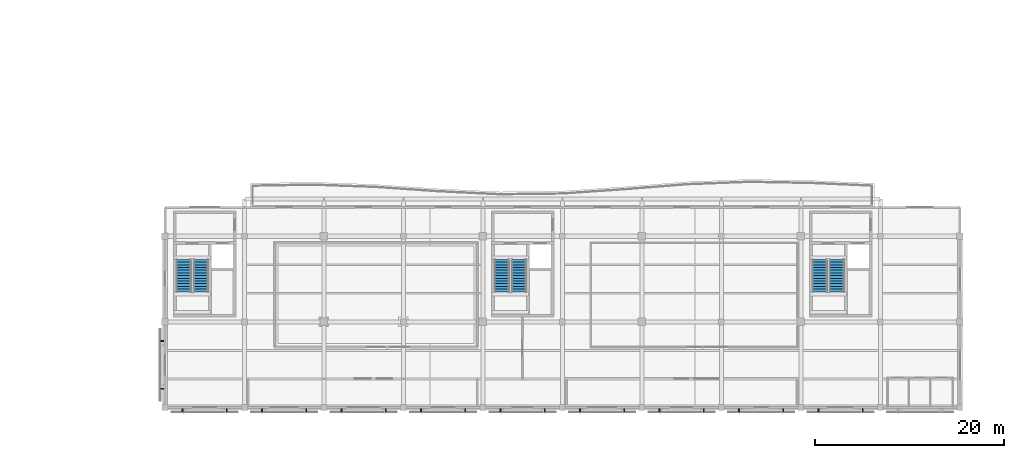
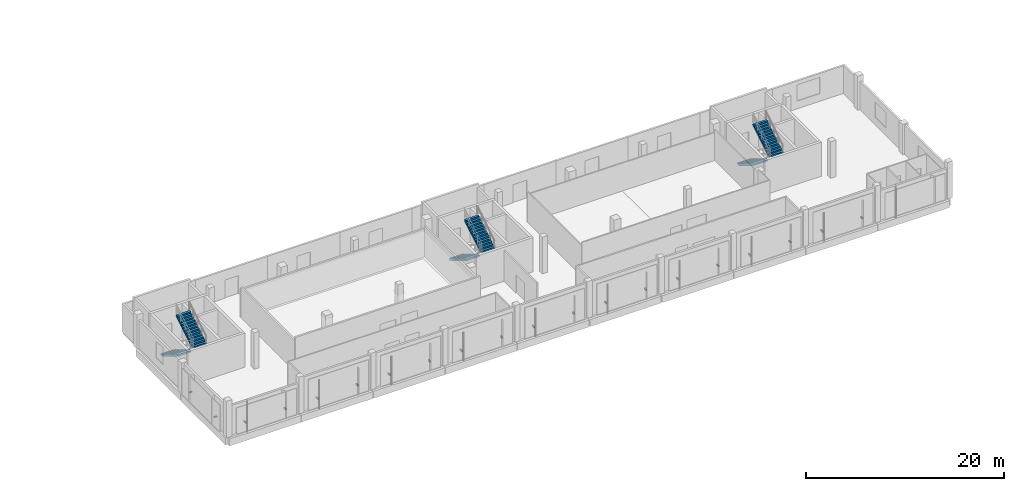
# One storey, part 21 of 28: 20 discrete accessories, 6 stair flights, 3 elements without a shape of their own.
"""IFC4 building model written with IfcOpenShell, lengths in metres."""

from ifc_helpers import new_model, si_unit, direction, frame, origin, origin_2d, place, context, subcontext, project, spatial, polyline, rectangle, outline, extrude, material, type_object, element, aggregate, save


model = new_model("IFC4")

# Units and contexts
model_context = context("Model", 3, precision=1e-05, world=origin(), true_north=direction((0.0, 1.0)))
body_context = subcontext(model_context, "Body", "Model", "MODEL_VIEW")
ifc_project = project(units=[si_unit("LENGTHUNIT", "METRE"), si_unit("AREAUNIT", "SQUARE_METRE"), si_unit("VOLUMEUNIT", "CUBIC_METRE"), si_unit("PLANEANGLEUNIT", "RADIAN"), si_unit("MASSUNIT", "GRAM", prefix="KILO")], contexts=[model_context])

# Site, building, storey
site_placement = place(None, origin())
site = spatial("IfcSite", under=ifc_project, at=site_placement, CompositionType="ELEMENT")
building_placement = place(site_placement, origin())
building = spatial("IfcBuilding", under=site, at=building_placement, Name="Khurvash Pelagic Aquarium", CompositionType="ELEMENT")
storey_placement = place(building_placement, frame((0.0, 0.0, 20.10009765625)))
storey = spatial("IfcBuildingStorey", under=building, at=storey_placement, Name="L04", CompositionType="ELEMENT", Elevation=20.10009765625)

# Stair, stair flights
ifc_material_1 = material(Name="Concrete C35/45", Category="concrete")
stair_type_1 = type_object("IfcStairType", Name="ST-01", PredefinedType="HALF_TURN_STAIR", material=ifc_material_1)
stair_1_placement = place(storey_placement, origin())
stair_1 = element("IfcStair", 1, at=stair_1_placement, inside=storey, type_object=stair_type_1, Name="L04 Protected Exit Stair ST-01", PredefinedType="HALF_TURN_STAIR")
stair_flight_type = type_object("IfcStairFlightType", Name="SF-150", PredefinedType="STRAIGHT", material=ifc_material_1)
stair_flight_1_placement = place(storey_placement, frame((27.199951171875, 18.25, 0.0), z_axis=(0.0, 0.0, 1.0), x_axis=(0.0, -1.0, 0.0)))
stair_flight_1 = element("IfcStairFlight", 2, at=stair_flight_1_placement, type_object=stair_flight_type, Name="ST-01 flight 1", NumberOfRisers=13, NumberOfTreads=12, PredefinedType="STRAIGHT", RiserHeight=0.173076923, TreadLength=0.285, context=body_context, shape_type="SweptSolid", body=[
    extrude(outline(polyline([(0.0, 0.0), (0.0, 0.173095703125), (0.284912109375, 0.173095703125), (0.284912109375, 0.34619140625), (0.570068359375, 0.34619140625), (0.570068359375, 0.519287109375), (0.85498046875, 0.519287109375), (0.85498046875, 0.6923828125), (1.139892578125, 0.6923828125), (1.139892578125, 0.865478515625), (1.425048828125, 0.865478515625), (1.425048828125, 1.03857421875), (1.7099609375, 1.03857421875), (1.7099609375, 1.21142578125), (1.9951171875, 1.21142578125), (1.9951171875, 1.384521484375), (2.280029296875, 1.384521484375), (2.280029296875, 1.5576171875), (2.56494140625, 1.5576171875), (2.56494140625, 1.730712890625), (2.85009765625, 1.730712890625), (2.85009765625, 1.90380859375), (3.135009765625, 1.90380859375), (3.135009765625, 2.076904296875), (3.419921875, 2.076904296875), (3.419921875, 2.25), (3.419921875, 1.866455078125), (0.3466796875, 0.0), (0.0, 0.0)])), frame((0.0, 0.800048828125, 0.0), z_axis=(0.0, -1.0, 0.0), x_axis=(1.0, 0.0, 0.0)), (0.0, 0.0, 1.0), 1.60009765625),
])
stair_flight_2_placement = place(storey_placement, frame((29.0, 14.830078125, 2.25), z_axis=(0.0, 0.0, 1.0), x_axis=(0.0, 1.0, 0.0)))
stair_flight_2 = element("IfcStairFlight", 3, at=stair_flight_2_placement, type_object=stair_flight_type, Name="ST-01 flight 2", NumberOfRisers=13, NumberOfTreads=12, PredefinedType="STRAIGHT", RiserHeight=0.173076923, TreadLength=0.285, context=body_context, shape_type="SweptSolid", body=[
    extrude(outline(polyline([(0.0, 0.0), (0.0, 0.173095703125), (0.284912109375, 0.173095703125), (0.284912109375, 0.34619140625), (0.570068359375, 0.34619140625), (0.570068359375, 0.519287109375), (0.85498046875, 0.519287109375), (0.85498046875, 0.6923828125), (1.139892578125, 0.6923828125), (1.139892578125, 0.865478515625), (1.425048828125, 0.865478515625), (1.425048828125, 1.03857421875), (1.7099609375, 1.03857421875), (1.7099609375, 1.21142578125), (1.9951171875, 1.21142578125), (1.9951171875, 1.384521484375), (2.280029296875, 1.384521484375), (2.280029296875, 1.5576171875), (2.56494140625, 1.5576171875), (2.56494140625, 1.730712890625), (2.85009765625, 1.730712890625), (2.85009765625, 1.90380859375), (3.135009765625, 1.90380859375), (3.135009765625, 2.076904296875), (3.419921875, 2.076904296875), (3.419921875, 2.25), (3.419921875, 1.866455078125), (0.3466796875, 0.0), (0.0, 0.0)])), frame((0.0, 0.800048828125, 0.0), z_axis=(0.0, -1.0, 0.0), x_axis=(1.0, 0.0, 0.0)), (0.0, 0.0, 1.0), 1.60009765625),
])
aggregate(stair_1, [stair_flight_1, stair_flight_2])

stair_type_2 = type_object("IfcStairType", Name="ST-02", PredefinedType="HALF_TURN_STAIR", material=ifc_material_1)
stair_2_placement = place(storey_placement, origin())
stair_2 = element("IfcStair", 4, at=stair_2_placement, inside=storey, type_object=stair_type_2, Name="L04 Protected Exit Stair ST-02", PredefinedType="HALF_TURN_STAIR")
stair_flight_3_placement = place(storey_placement, frame((60.800048828125, 18.25, 0.0), z_axis=(0.0, 0.0, 1.0), x_axis=(0.0, -1.0, 0.0)))
stair_flight_3 = element("IfcStairFlight", 5, at=stair_flight_3_placement, type_object=stair_flight_type, Name="ST-02 flight 1", NumberOfRisers=13, NumberOfTreads=12, PredefinedType="STRAIGHT", RiserHeight=0.173076923, TreadLength=0.285, context=body_context, shape_type="SweptSolid", body=[
    extrude(outline(polyline([(0.0, 0.0), (0.0, 0.173095703125), (0.284912109375, 0.173095703125), (0.284912109375, 0.34619140625), (0.570068359375, 0.34619140625), (0.570068359375, 0.519287109375), (0.85498046875, 0.519287109375), (0.85498046875, 0.6923828125), (1.139892578125, 0.6923828125), (1.139892578125, 0.865478515625), (1.425048828125, 0.865478515625), (1.425048828125, 1.03857421875), (1.7099609375, 1.03857421875), (1.7099609375, 1.21142578125), (1.9951171875, 1.21142578125), (1.9951171875, 1.384521484375), (2.280029296875, 1.384521484375), (2.280029296875, 1.5576171875), (2.56494140625, 1.5576171875), (2.56494140625, 1.730712890625), (2.85009765625, 1.730712890625), (2.85009765625, 1.90380859375), (3.135009765625, 1.90380859375), (3.135009765625, 2.076904296875), (3.419921875, 2.076904296875), (3.419921875, 2.25), (3.419921875, 1.866455078125), (0.3466796875, 0.0), (0.0, 0.0)])), frame((0.0, 0.800048828125, 0.0), z_axis=(0.0, -1.0, 0.0), x_axis=(1.0, 0.0, 0.0)), (0.0, 0.0, 1.0), 1.60009765625),
])
stair_flight_4_placement = place(storey_placement, frame((62.60009765625, 14.830078125, 2.25), z_axis=(0.0, 0.0, 1.0), x_axis=(0.0, 1.0, 0.0)))
stair_flight_4 = element("IfcStairFlight", 6, at=stair_flight_4_placement, type_object=stair_flight_type, Name="ST-02 flight 2", NumberOfRisers=13, NumberOfTreads=12, PredefinedType="STRAIGHT", RiserHeight=0.173076923, TreadLength=0.285, context=body_context, shape_type="SweptSolid", body=[
    extrude(outline(polyline([(0.0, 0.0), (0.0, 0.173095703125), (0.284912109375, 0.173095703125), (0.284912109375, 0.34619140625), (0.570068359375, 0.34619140625), (0.570068359375, 0.519287109375), (0.85498046875, 0.519287109375), (0.85498046875, 0.6923828125), (1.139892578125, 0.6923828125), (1.139892578125, 0.865478515625), (1.425048828125, 0.865478515625), (1.425048828125, 1.03857421875), (1.7099609375, 1.03857421875), (1.7099609375, 1.21142578125), (1.9951171875, 1.21142578125), (1.9951171875, 1.384521484375), (2.280029296875, 1.384521484375), (2.280029296875, 1.5576171875), (2.56494140625, 1.5576171875), (2.56494140625, 1.730712890625), (2.85009765625, 1.730712890625), (2.85009765625, 1.90380859375), (3.135009765625, 1.90380859375), (3.135009765625, 2.076904296875), (3.419921875, 2.076904296875), (3.419921875, 2.25), (3.419921875, 1.866455078125), (0.3466796875, 0.0), (0.0, 0.0)])), frame((0.0, 0.800048828125, 0.0), z_axis=(0.0, -1.0, 0.0), x_axis=(1.0, 0.0, 0.0)), (0.0, 0.0, 1.0), 1.60009765625),
])
aggregate(stair_2, [stair_flight_3, stair_flight_4])

stair_type_3 = type_object("IfcStairType", Name="ST-03", PredefinedType="HALF_TURN_STAIR", material=ifc_material_1)
stair_3_placement = place(storey_placement, origin())
stair_3 = element("IfcStair", 7, at=stair_3_placement, inside=storey, type_object=stair_type_3, Name="L04 Protected Exit Stair ST-03", PredefinedType="HALF_TURN_STAIR")
stair_flight_5_placement = place(storey_placement, frame((94.39990234375, 18.25, 0.0), z_axis=(0.0, 0.0, 1.0), x_axis=(0.0, -1.0, 0.0)))
stair_flight_5 = element("IfcStairFlight", 8, at=stair_flight_5_placement, type_object=stair_flight_type, Name="ST-03 flight 1", NumberOfRisers=13, NumberOfTreads=12, PredefinedType="STRAIGHT", RiserHeight=0.173076923, TreadLength=0.285, context=body_context, shape_type="SweptSolid", body=[
    extrude(outline(polyline([(0.0, 0.0), (0.0, 0.173095703125), (0.284912109375, 0.173095703125), (0.284912109375, 0.34619140625), (0.570068359375, 0.34619140625), (0.570068359375, 0.519287109375), (0.85498046875, 0.519287109375), (0.85498046875, 0.6923828125), (1.139892578125, 0.6923828125), (1.139892578125, 0.865478515625), (1.425048828125, 0.865478515625), (1.425048828125, 1.03857421875), (1.7099609375, 1.03857421875), (1.7099609375, 1.21142578125), (1.9951171875, 1.21142578125), (1.9951171875, 1.384521484375), (2.280029296875, 1.384521484375), (2.280029296875, 1.5576171875), (2.56494140625, 1.5576171875), (2.56494140625, 1.730712890625), (2.85009765625, 1.730712890625), (2.85009765625, 1.90380859375), (3.135009765625, 1.90380859375), (3.135009765625, 2.076904296875), (3.419921875, 2.076904296875), (3.419921875, 2.25), (3.419921875, 1.866455078125), (0.3466796875, 0.0), (0.0, 0.0)])), frame((0.0, 0.800048828125, 0.0), z_axis=(0.0, -1.0, 0.0), x_axis=(1.0, 0.0, 0.0)), (0.0, 0.0, 1.0), 1.60009765625),
])
stair_flight_6_placement = place(storey_placement, frame((96.199951171875, 14.830078125, 2.25), z_axis=(0.0, 0.0, 1.0), x_axis=(0.0, 1.0, 0.0)))
stair_flight_6 = element("IfcStairFlight", 9, at=stair_flight_6_placement, type_object=stair_flight_type, Name="ST-03 flight 2", NumberOfRisers=13, NumberOfTreads=12, PredefinedType="STRAIGHT", RiserHeight=0.173076923, TreadLength=0.285, context=body_context, shape_type="SweptSolid", body=[
    extrude(outline(polyline([(0.0, 0.0), (0.0, 0.173095703125), (0.284912109375, 0.173095703125), (0.284912109375, 0.34619140625), (0.570068359375, 0.34619140625), (0.570068359375, 0.519287109375), (0.85498046875, 0.519287109375), (0.85498046875, 0.6923828125), (1.139892578125, 0.6923828125), (1.139892578125, 0.865478515625), (1.425048828125, 0.865478515625), (1.425048828125, 1.03857421875), (1.7099609375, 1.03857421875), (1.7099609375, 1.21142578125), (1.9951171875, 1.21142578125), (1.9951171875, 1.384521484375), (2.280029296875, 1.384521484375), (2.280029296875, 1.5576171875), (2.56494140625, 1.5576171875), (2.56494140625, 1.730712890625), (2.85009765625, 1.730712890625), (2.85009765625, 1.90380859375), (3.135009765625, 1.90380859375), (3.135009765625, 2.076904296875), (3.419921875, 2.076904296875), (3.419921875, 2.25), (3.419921875, 1.866455078125), (0.3466796875, 0.0), (0.0, 0.0)])), frame((0.0, 0.800048828125, 0.0), z_axis=(0.0, -1.0, 0.0), x_axis=(1.0, 0.0, 0.0)), (0.0, 0.0, 1.0), 1.60009765625),
])
aggregate(stair_3, [stair_flight_5, stair_flight_6])

# Discrete accessories
ifc_material_2 = material(Name="Hot-dip galvanised steel S355J2", Category="steel")
discrete_accessory_type = type_object("IfcDiscreteAccessoryType", Name="BK-01", PredefinedType="BRACKET", material=ifc_material_2)
for number, where, z_axis, x_axis, name in (
    (10, (27.06298828125, 2.31494140625, 1.10986328125), (0.0, 0.0, 1.0), (1.0, 0.0, 0.0), "L04 Jali Screen Support Bracket BK-01 0109"),
    (11, (31.737060546875, 2.31494140625, 1.10986328125), (0.0, 0.0, 1.0), (1.0, 0.0, 0.0), "L04 Jali Screen Support Bracket BK-01 0110"),
    (12, (35.462890625, 2.31494140625, 1.10986328125), (0.0, 0.0, 1.0), (1.0, 0.0, 0.0), "L04 Jali Screen Support Bracket BK-01 0111"),
    (13, (40.136962890625, 2.31494140625, 1.10986328125), (0.0, 0.0, 1.0), (1.0, 0.0, 0.0), "L04 Jali Screen Support Bracket BK-01 0112"),
    (14, (43.863037109375, 2.31494140625, 1.10986328125), (0.0, 0.0, 1.0), (1.0, 0.0, 0.0), "L04 Jali Screen Support Bracket BK-01 0113"),
    (15, (48.537109375, 2.31494140625, 1.10986328125), (0.0, 0.0, 1.0), (1.0, 0.0, 0.0), "L04 Jali Screen Support Bracket BK-01 0114"),
    (16, (52.262939453125, 2.31494140625, 1.10986328125), (0.0, 0.0, 1.0), (1.0, 0.0, 0.0), "L04 Jali Screen Support Bracket BK-01 0115"),
    (17, (56.93701171875, 2.31494140625, 1.10986328125), (0.0, 0.0, 1.0), (1.0, 0.0, 0.0), "L04 Jali Screen Support Bracket BK-01 0116"),
    (18, (60.6630859375, 2.31494140625, 1.10986328125), (0.0, 0.0, 1.0), (1.0, 0.0, 0.0), "L04 Jali Screen Support Bracket BK-01 0117"),
    (19, (65.3369140625, 2.31494140625, 1.10986328125), (0.0, 0.0, 1.0), (1.0, 0.0, 0.0), "L04 Jali Screen Support Bracket BK-01 0118"),
    (20, (69.06298828125, 2.31494140625, 1.10986328125), (0.0, 0.0, 1.0), (1.0, 0.0, 0.0), "L04 Jali Screen Support Bracket BK-01 0119"),
    (21, (73.737060546875, 2.31494140625, 1.10986328125), (0.0, 0.0, 1.0), (1.0, 0.0, 0.0), "L04 Jali Screen Support Bracket BK-01 0120"),
    (22, (77.462890625, 2.31494140625, 1.10986328125), (0.0, 0.0, 1.0), (1.0, 0.0, 0.0), "L04 Jali Screen Support Bracket BK-01 0121"),
    (23, (82.136962890625, 2.31494140625, 1.10986328125), (0.0, 0.0, 1.0), (1.0, 0.0, 0.0), "L04 Jali Screen Support Bracket BK-01 0122"),
    (24, (85.863037109375, 2.31494140625, 1.10986328125), (0.0, 0.0, 1.0), (1.0, 0.0, 0.0), "L04 Jali Screen Support Bracket BK-01 0123"),
    (25, (90.537109375, 2.31494140625, 1.10986328125), (0.0, 0.0, 1.0), (1.0, 0.0, 0.0), "L04 Jali Screen Support Bracket BK-01 0124"),
    (26, (94.262939453125, 2.31494140625, 1.10986328125), (0.0, 0.0, 1.0), (1.0, 0.0, 0.0), "L04 Jali Screen Support Bracket BK-01 0125"),
    (27, (98.93701171875, 2.31494140625, 1.10986328125), (0.0, 0.0, 1.0), (1.0, 0.0, 0.0), "L04 Jali Screen Support Bracket BK-01 0126"),
    (28, (24.9150390625, 9.616943359375, 1.10986328125), (0.0, 0.0, 1.0), (0.0, -1.0, 0.0), "L04 Jali Screen Support Bracket BK-01 0129"),
    (29, (24.9150390625, 4.5830078125, 1.10986328125), (0.0, 0.0, 1.0), (0.0, -1.0, 0.0), "L04 Jali Screen Support Bracket BK-01 0130"),
):
    element("IfcDiscreteAccessory", number, at=place(storey_placement, frame(where, z_axis=z_axis, x_axis=x_axis)), inside=storey, type_object=discrete_accessory_type, Name=name, PredefinedType="BRACKET", context=body_context, shape_type="SweptSolid", body=[
        extrude(rectangle(XDim=0.139892578125, YDim=0.35009765625, at=origin_2d()), origin(), (0.0, 0.0, 1.0), 0.179931640625),
    ])

save(model, "model.ifc")
